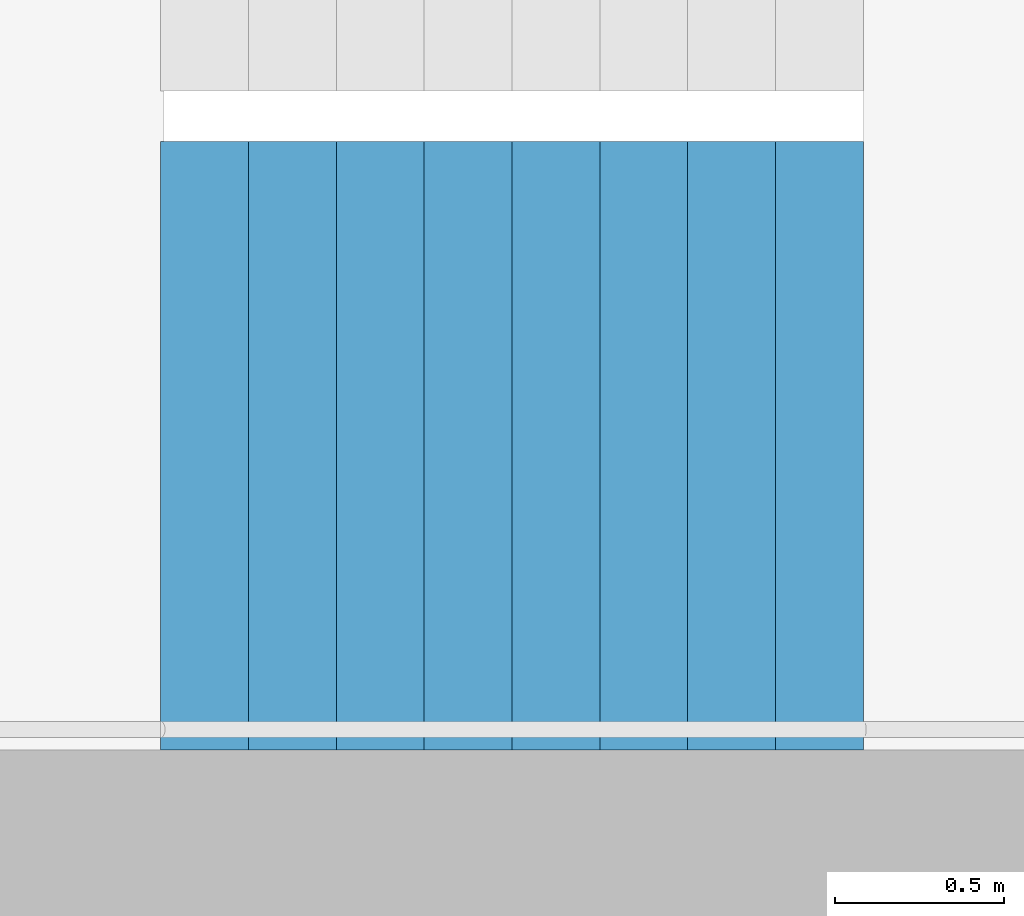
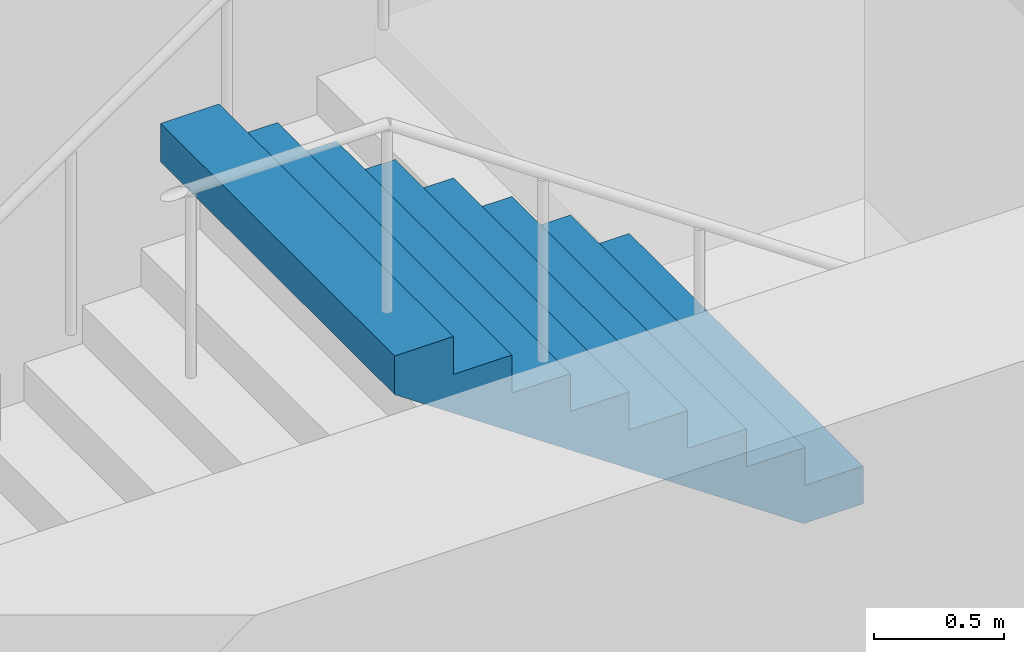
# One storey, part 23 of 27: 1 stair flight, 1 element without a shape of its own.
"""IFC4 building model written with IfcOpenShell, lengths in metres."""

from ifc_helpers import new_model, si_unit, direction, frame, origin, place, context, subcontext, project, spatial, triangles, material, type_object, element, aggregate, save


model = new_model("IFC4")

# Units and contexts
model_context = context("Model", 3, precision=1e-05, world=origin(), true_north=direction((0.0, 1.0)))
body_context = subcontext(model_context, "Body", "Model", "MODEL_VIEW")
ifc_project = project(units=[si_unit("LENGTHUNIT", "METRE"), si_unit("AREAUNIT", "SQUARE_METRE"), si_unit("VOLUMEUNIT", "CUBIC_METRE"), si_unit("PLANEANGLEUNIT", "RADIAN"), si_unit("MASSUNIT", "GRAM", prefix="KILO")], contexts=[model_context])

# Site, building, storey
site_placement = place(None, origin())
site = spatial("IfcSite", under=ifc_project, at=site_placement, CompositionType="ELEMENT")
building_placement = place(site_placement, origin())
building = spatial("IfcBuilding", under=site, at=building_placement, Name="Hakoniwa Tower and Hamabe Station Hall", CompositionType="ELEMENT")
storey_placement = place(building_placement, frame((0.0, 0.0, 242.199951171875)))
storey = spatial("IfcBuildingStorey", under=building, at=storey_placement, Name="L68", CompositionType="ELEMENT", Elevation=242.199951171875)

# Stair, stair flight
ifc_material_1 = material(Name="Concrete C40", Category="concrete")
stair_type = type_object("IfcStairType", Name="ESCAPE STAIR 1800", PredefinedType="HALF_TURN_STAIR", material=ifc_material_1)
stair_placement = place(storey_placement, origin())
stair = element("IfcStair", 1, at=stair_placement, inside=storey, type_object=stair_type, Name="Escape stair ST-4 L68", PredefinedType="HALF_TURN_STAIR")
ifc_material_2 = material(Name="Concrete C40", Category="concrete")
stair_flight_type = type_object("IfcStairFlightType", Name="STAIR FLIGHT 1800", PredefinedType="STRAIGHT", material=ifc_material_2)
stair_flight_placement = place(storey_placement, frame((25.47998046875, -6.60009765625, 1.60009765625), z_axis=(0.0, 0.0, 1.0), x_axis=(-1.0, 0.0, 0.0)))
stair_flight = element("IfcStairFlight", 2, at=stair_flight_placement, type_object=stair_flight_type, Name="ST-4 flight 2", NumberOfRisers=9, NumberOfTreads=8, PredefinedType="STRAIGHT", RiserHeight=0.177777778, TreadLength=0.26, context=body_context, shape_type="Tessellation", body=[
    triangles([(0.0, 0.89990234375, 0.0), (0.260009765625, 0.89990234375, 0.0), (0.265625, 0.89990234375, 0.0), (0.52001953125, 0.89990234375, 0.174072265625), (0.780029296875, 0.89990234375, 0.351806640625), (1.0400390625, 0.89990234375, 0.529541015625), (1.300048828125, 0.89990234375, 0.707275390625), (1.56005859375, 0.89990234375, 0.885009765625), (1.820068359375, 0.89990234375, 1.062744140625), (2.080078125, 0.89990234375, 1.24072265625), (2.080078125, 0.89990234375, 1.422119140625), (1.820068359375, 0.89990234375, 1.422119140625), (1.820068359375, 0.89990234375, 1.244384765625), (1.56005859375, 0.89990234375, 1.244384765625), (1.56005859375, 0.89990234375, 1.066650390625), (1.300048828125, 0.89990234375, 1.066650390625), (1.300048828125, 0.89990234375, 0.888916015625), (1.0400390625, 0.89990234375, 0.888916015625), (1.0400390625, 0.89990234375, 0.711181640625), (0.780029296875, 0.89990234375, 0.711181640625), (0.780029296875, 0.89990234375, 0.533447265625), (0.52001953125, 0.89990234375, 0.533447265625), (0.52001953125, 0.89990234375, 0.35546875), (0.265625, 0.89990234375, 0.35546875), (0.260009765625, 0.89990234375, 0.35546875), (0.260009765625, 0.89990234375, 0.177734375), (0.0, 0.89990234375, 0.177734375), (0.0, 0.06005859375, 0.0), (0.260009765625, 0.06005859375, 0.0), (0.265625, 0.06005859375, 0.0), (0.52001953125, 0.06005859375, 0.174072265625), (0.780029296875, 0.06005859375, 0.351806640625), (1.0400390625, 0.06005859375, 0.529541015625), (1.300048828125, 0.06005859375, 0.707275390625), (1.56005859375, 0.06005859375, 0.885009765625), (1.820068359375, 0.06005859375, 1.062744140625), (2.080078125, 0.06005859375, 1.24072265625), (2.080078125, 0.06005859375, 1.422119140625), (1.820068359375, 0.06005859375, 1.422119140625), (1.820068359375, 0.06005859375, 1.244384765625), (1.56005859375, 0.06005859375, 1.244384765625), (1.56005859375, 0.06005859375, 1.066650390625), (1.300048828125, 0.06005859375, 1.066650390625), (1.300048828125, 0.06005859375, 0.888916015625), (1.0400390625, 0.06005859375, 0.888916015625), (1.0400390625, 0.06005859375, 0.711181640625), (0.780029296875, 0.06005859375, 0.711181640625), (0.780029296875, 0.06005859375, 0.533447265625), (0.52001953125, 0.06005859375, 0.533447265625), (0.52001953125, 0.06005859375, 0.35546875), (0.265625, 0.06005859375, 0.35546875), (0.260009765625, 0.06005859375, 0.35546875), (0.260009765625, 0.06005859375, 0.177734375), (0.0, 0.06005859375, 0.177734375), (0.0, 0.04296875, 0.0), (0.260009765625, 0.04296875, 0.0), (0.265625, 0.04296875, 0.0), (0.52001953125, 0.04296875, 0.174072265625), (0.780029296875, 0.04296875, 0.351806640625), (1.0400390625, 0.04296875, 0.529541015625), (1.300048828125, 0.04296875, 0.707275390625), (1.56005859375, 0.04296875, 0.885009765625), (1.820068359375, 0.04296875, 1.062744140625), (2.080078125, 0.04296875, 1.24072265625), (2.080078125, 0.04296875, 1.422119140625), (1.820068359375, 0.04296875, 1.422119140625), (1.820068359375, 0.04296875, 1.244384765625), (1.56005859375, 0.04296875, 1.244384765625), (1.56005859375, 0.04296875, 1.066650390625), (1.300048828125, 0.04296875, 1.066650390625), (1.300048828125, 0.04296875, 0.888916015625), (1.0400390625, 0.04296875, 0.888916015625), (1.0400390625, 0.04296875, 0.711181640625), (0.780029296875, 0.04296875, 0.711181640625), (0.780029296875, 0.04296875, 0.533447265625), (0.52001953125, 0.04296875, 0.533447265625), (0.52001953125, 0.04296875, 0.35546875), (0.265625, 0.04296875, 0.35546875), (0.260009765625, 0.04296875, 0.35546875), (0.260009765625, 0.04296875, 0.177734375), (0.0, 0.04296875, 0.177734375), (0.0, 0.025634765625, 0.0), (0.260009765625, 0.025634765625, 0.0), (0.265625, 0.025634765625, 0.0), (0.52001953125, 0.025634765625, 0.174072265625), (0.780029296875, 0.025634765625, 0.351806640625), (1.0400390625, 0.025634765625, 0.529541015625), (1.300048828125, 0.025634765625, 0.707275390625), (1.56005859375, 0.025634765625, 0.885009765625), (1.820068359375, 0.025634765625, 1.062744140625), (2.080078125, 0.025634765625, 1.24072265625), (2.080078125, 0.025634765625, 1.422119140625), (1.820068359375, 0.025634765625, 1.422119140625), (1.820068359375, 0.025634765625, 1.244384765625), (1.56005859375, 0.025634765625, 1.244384765625), (1.56005859375, 0.025634765625, 1.066650390625), (1.300048828125, 0.025634765625, 1.066650390625), (1.300048828125, 0.025634765625, 0.888916015625), (1.0400390625, 0.025634765625, 0.888916015625), (1.0400390625, 0.025634765625, 0.711181640625), (0.780029296875, 0.025634765625, 0.711181640625), (0.780029296875, 0.025634765625, 0.533447265625), (0.52001953125, 0.025634765625, 0.533447265625), (0.52001953125, 0.025634765625, 0.35546875), (0.265625, 0.025634765625, 0.35546875), (0.260009765625, 0.025634765625, 0.35546875), (0.260009765625, 0.025634765625, 0.177734375), (0.0, 0.025634765625, 0.177734375), (0.0, 0.008544921875, 0.0), (0.260009765625, 0.008544921875, 0.0), (0.265625, 0.008544921875, 0.0), (0.52001953125, 0.008544921875, 0.174072265625), (0.780029296875, 0.008544921875, 0.351806640625), (1.0400390625, 0.008544921875, 0.529541015625), (1.300048828125, 0.008544921875, 0.707275390625), (1.56005859375, 0.008544921875, 0.885009765625), (1.820068359375, 0.008544921875, 1.062744140625), (2.080078125, 0.008544921875, 1.24072265625), (2.080078125, 0.008544921875, 1.422119140625), (1.820068359375, 0.008544921875, 1.422119140625), (1.820068359375, 0.008544921875, 1.244384765625), (1.56005859375, 0.008544921875, 1.244384765625), (1.56005859375, 0.008544921875, 1.066650390625), (1.300048828125, 0.008544921875, 1.066650390625), (1.300048828125, 0.008544921875, 0.888916015625), (1.0400390625, 0.008544921875, 0.888916015625), (1.0400390625, 0.008544921875, 0.711181640625), (0.780029296875, 0.008544921875, 0.711181640625), (0.780029296875, 0.008544921875, 0.533447265625), (0.52001953125, 0.008544921875, 0.533447265625), (0.52001953125, 0.008544921875, 0.35546875), (0.265625, 0.008544921875, 0.35546875), (0.260009765625, 0.008544921875, 0.35546875), (0.260009765625, 0.008544921875, 0.177734375), (0.0, 0.008544921875, 0.177734375), (0.0, -0.008544921875, 0.0), (0.260009765625, -0.008544921875, 0.0), (0.265625, -0.008544921875, 0.0), (0.52001953125, -0.008544921875, 0.174072265625), (0.780029296875, -0.008544921875, 0.351806640625), (1.0400390625, -0.008544921875, 0.529541015625), (1.300048828125, -0.008544921875, 0.707275390625), (1.56005859375, -0.008544921875, 0.885009765625), (1.820068359375, -0.008544921875, 1.062744140625), (2.080078125, -0.008544921875, 1.24072265625), (2.080078125, -0.008544921875, 1.422119140625), (1.820068359375, -0.008544921875, 1.422119140625), (1.820068359375, -0.008544921875, 1.244384765625), (1.56005859375, -0.008544921875, 1.244384765625), (1.56005859375, -0.008544921875, 1.066650390625), (1.300048828125, -0.008544921875, 1.066650390625), (1.300048828125, -0.008544921875, 0.888916015625), (1.0400390625, -0.008544921875, 0.888916015625), (1.0400390625, -0.008544921875, 0.711181640625), (0.780029296875, -0.008544921875, 0.711181640625), (0.780029296875, -0.008544921875, 0.533447265625), (0.52001953125, -0.008544921875, 0.533447265625), (0.52001953125, -0.008544921875, 0.35546875), (0.265625, -0.008544921875, 0.35546875), (0.260009765625, -0.008544921875, 0.35546875), (0.260009765625, -0.008544921875, 0.177734375), (0.0, -0.008544921875, 0.177734375), (0.0, -0.025634765625, 0.0), (0.260009765625, -0.025634765625, 0.0), (0.265625, -0.025634765625, 0.0), (0.52001953125, -0.025634765625, 0.174072265625), (0.780029296875, -0.025634765625, 0.351806640625), (1.0400390625, -0.025634765625, 0.529541015625), (1.300048828125, -0.025634765625, 0.707275390625), (1.56005859375, -0.025634765625, 0.885009765625), (1.820068359375, -0.025634765625, 1.062744140625), (2.080078125, -0.025634765625, 1.24072265625), (2.080078125, -0.025634765625, 1.422119140625), (1.820068359375, -0.025634765625, 1.422119140625), (1.820068359375, -0.025634765625, 1.244384765625), (1.56005859375, -0.025634765625, 1.244384765625), (1.56005859375, -0.025634765625, 1.066650390625), (1.300048828125, -0.025634765625, 1.066650390625), (1.300048828125, -0.025634765625, 0.888916015625), (1.0400390625, -0.025634765625, 0.888916015625), (1.0400390625, -0.025634765625, 0.711181640625), (0.780029296875, -0.025634765625, 0.711181640625), (0.780029296875, -0.025634765625, 0.533447265625), (0.52001953125, -0.025634765625, 0.533447265625), (0.52001953125, -0.025634765625, 0.35546875), (0.265625, -0.025634765625, 0.35546875), (0.260009765625, -0.025634765625, 0.35546875), (0.260009765625, -0.025634765625, 0.177734375), (0.0, -0.025634765625, 0.177734375), (0.0, -0.04296875, 0.0), (0.260009765625, -0.04296875, 0.0), (0.265625, -0.04296875, 0.0), (0.52001953125, -0.04296875, 0.174072265625), (0.780029296875, -0.04296875, 0.351806640625), (1.0400390625, -0.04296875, 0.529541015625), (1.300048828125, -0.04296875, 0.707275390625), (1.56005859375, -0.04296875, 0.885009765625), (1.820068359375, -0.04296875, 1.062744140625), (2.080078125, -0.04296875, 1.24072265625), (2.080078125, -0.04296875, 1.422119140625), (1.820068359375, -0.04296875, 1.422119140625), (1.820068359375, -0.04296875, 1.244384765625), (1.56005859375, -0.04296875, 1.244384765625), (1.56005859375, -0.04296875, 1.066650390625), (1.300048828125, -0.04296875, 1.066650390625), (1.300048828125, -0.04296875, 0.888916015625), (1.0400390625, -0.04296875, 0.888916015625), (1.0400390625, -0.04296875, 0.711181640625), (0.780029296875, -0.04296875, 0.711181640625), (0.780029296875, -0.04296875, 0.533447265625), (0.52001953125, -0.04296875, 0.533447265625), (0.52001953125, -0.04296875, 0.35546875), (0.265625, -0.04296875, 0.35546875), (0.260009765625, -0.04296875, 0.35546875), (0.260009765625, -0.04296875, 0.177734375), (0.0, -0.04296875, 0.177734375), (0.0, -0.06005859375, 0.0), (0.260009765625, -0.06005859375, 0.0), (0.265625, -0.06005859375, 0.0), (0.52001953125, -0.06005859375, 0.174072265625), (0.780029296875, -0.06005859375, 0.351806640625), (1.0400390625, -0.06005859375, 0.529541015625), (1.300048828125, -0.06005859375, 0.707275390625), (1.56005859375, -0.06005859375, 0.885009765625), (1.820068359375, -0.06005859375, 1.062744140625), (2.080078125, -0.06005859375, 1.24072265625), (2.080078125, -0.06005859375, 1.422119140625), (1.820068359375, -0.06005859375, 1.422119140625), (1.820068359375, -0.06005859375, 1.244384765625), (1.56005859375, -0.06005859375, 1.244384765625), (1.56005859375, -0.06005859375, 1.066650390625), (1.300048828125, -0.06005859375, 1.066650390625), (1.300048828125, -0.06005859375, 0.888916015625), (1.0400390625, -0.06005859375, 0.888916015625), (1.0400390625, -0.06005859375, 0.711181640625), (0.780029296875, -0.06005859375, 0.711181640625), (0.780029296875, -0.06005859375, 0.533447265625), (0.52001953125, -0.06005859375, 0.533447265625), (0.52001953125, -0.06005859375, 0.35546875), (0.265625, -0.06005859375, 0.35546875), (0.260009765625, -0.06005859375, 0.35546875), (0.260009765625, -0.06005859375, 0.177734375), (0.0, -0.06005859375, 0.177734375), (0.0, -0.89990234375, 0.0), (0.260009765625, -0.89990234375, 0.0), (0.265625, -0.89990234375, 0.0), (0.52001953125, -0.89990234375, 0.174072265625), (0.780029296875, -0.89990234375, 0.351806640625), (1.0400390625, -0.89990234375, 0.529541015625), (1.300048828125, -0.89990234375, 0.707275390625), (1.56005859375, -0.89990234375, 0.885009765625), (1.820068359375, -0.89990234375, 1.062744140625), (2.080078125, -0.89990234375, 1.24072265625), (2.080078125, -0.89990234375, 1.422119140625), (1.820068359375, -0.89990234375, 1.422119140625), (1.820068359375, -0.89990234375, 1.244384765625), (1.56005859375, -0.89990234375, 1.244384765625), (1.56005859375, -0.89990234375, 1.066650390625), (1.300048828125, -0.89990234375, 1.066650390625), (1.300048828125, -0.89990234375, 0.888916015625), (1.0400390625, -0.89990234375, 0.888916015625), (1.0400390625, -0.89990234375, 0.711181640625), (0.780029296875, -0.89990234375, 0.711181640625), (0.780029296875, -0.89990234375, 0.533447265625), (0.52001953125, -0.89990234375, 0.533447265625), (0.52001953125, -0.89990234375, 0.35546875), (0.265625, -0.89990234375, 0.35546875), (0.260009765625, -0.89990234375, 0.35546875), (0.260009765625, -0.89990234375, 0.177734375), (0.0, -0.89990234375, 0.177734375)], [[2, 27, 26], [245, 269, 270], [2, 1, 27], [245, 270, 244], [3, 25, 24], [246, 267, 268], [3, 26, 25], [246, 268, 269], [3, 2, 26], [246, 269, 245], [4, 24, 23], [247, 266, 267], [4, 3, 24], [247, 267, 246], [5, 22, 21], [248, 264, 265], [5, 23, 22], [248, 265, 266], [5, 4, 23], [248, 266, 247], [6, 20, 19], [249, 262, 263], [6, 21, 20], [249, 263, 264], [6, 5, 21], [249, 264, 248], [7, 18, 17], [250, 260, 261], [7, 19, 18], [250, 261, 262], [7, 6, 19], [250, 262, 249], [8, 16, 15], [251, 258, 259], [8, 17, 16], [251, 259, 260], [8, 7, 17], [251, 260, 250], [9, 14, 13], [252, 256, 257], [9, 15, 14], [252, 257, 258], [9, 8, 15], [252, 258, 251], [10, 12, 11], [253, 254, 255], [10, 13, 12], [253, 255, 256], [10, 9, 13], [253, 256, 252], [1, 2, 29], [1, 29, 28], [28, 29, 56], [28, 56, 55], [55, 56, 83], [55, 83, 82], [82, 83, 110], [82, 110, 109], [109, 110, 137], [109, 137, 136], [136, 137, 164], [136, 164, 163], [163, 164, 191], [163, 191, 190], [190, 191, 218], [190, 218, 217], [217, 218, 245], [217, 245, 244], [2, 3, 30], [2, 30, 29], [29, 30, 57], [29, 57, 56], [56, 57, 84], [56, 84, 83], [83, 84, 111], [83, 111, 110], [110, 111, 138], [110, 138, 137], [137, 138, 165], [137, 165, 164], [164, 165, 192], [164, 192, 191], [191, 192, 219], [191, 219, 218], [218, 219, 246], [218, 246, 245], [3, 4, 31], [3, 31, 30], [30, 31, 58], [30, 58, 57], [57, 58, 85], [57, 85, 84], [84, 85, 112], [84, 112, 111], [111, 112, 139], [111, 139, 138], [138, 139, 166], [138, 166, 165], [165, 166, 193], [165, 193, 192], [192, 193, 220], [192, 220, 219], [219, 220, 247], [219, 247, 246], [4, 5, 32], [4, 32, 31], [31, 32, 59], [31, 59, 58], [58, 59, 86], [58, 86, 85], [85, 86, 113], [85, 113, 112], [112, 113, 140], [112, 140, 139], [139, 140, 167], [139, 167, 166], [166, 167, 194], [166, 194, 193], [193, 194, 221], [193, 221, 220], [220, 221, 248], [220, 248, 247], [5, 6, 33], [5, 33, 32], [32, 33, 60], [32, 60, 59], [59, 60, 87], [59, 87, 86], [86, 87, 114], [86, 114, 113], [113, 114, 141], [113, 141, 140], [140, 141, 168], [140, 168, 167], [167, 168, 195], [167, 195, 194], [194, 195, 222], [194, 222, 221], [221, 222, 249], [221, 249, 248], [6, 7, 34], [6, 34, 33], [33, 34, 61], [33, 61, 60], [60, 61, 88], [60, 88, 87], [87, 88, 115], [87, 115, 114], [114, 115, 142], [114, 142, 141], [141, 142, 169], [141, 169, 168], [168, 169, 196], [168, 196, 195], [195, 196, 223], [195, 223, 222], [222, 223, 250], [222, 250, 249], [7, 8, 35], [7, 35, 34], [34, 35, 62], [34, 62, 61], [61, 62, 89], [61, 89, 88], [88, 89, 116], [88, 116, 115], [115, 116, 143], [115, 143, 142], [142, 143, 170], [142, 170, 169], [169, 170, 197], [169, 197, 196], [196, 197, 224], [196, 224, 223], [223, 224, 251], [223, 251, 250], [8, 9, 36], [8, 36, 35], [35, 36, 63], [35, 63, 62], [62, 63, 90], [62, 90, 89], [89, 90, 117], [89, 117, 116], [116, 117, 144], [116, 144, 143], [143, 144, 171], [143, 171, 170], [170, 171, 198], [170, 198, 197], [197, 198, 225], [197, 225, 224], [224, 225, 252], [224, 252, 251], [9, 10, 37], [9, 37, 36], [36, 37, 64], [36, 64, 63], [63, 64, 91], [63, 91, 90], [90, 91, 118], [90, 118, 117], [117, 118, 145], [117, 145, 144], [144, 145, 172], [144, 172, 171], [171, 172, 199], [171, 199, 198], [198, 199, 226], [198, 226, 225], [225, 226, 253], [225, 253, 252], [10, 11, 38], [10, 38, 37], [37, 38, 65], [37, 65, 64], [64, 65, 92], [64, 92, 91], [91, 92, 119], [91, 119, 118], [118, 119, 146], [118, 146, 145], [145, 146, 173], [145, 173, 172], [172, 173, 200], [172, 200, 199], [199, 200, 227], [199, 227, 226], [226, 227, 254], [226, 254, 253], [11, 12, 39], [11, 39, 38], [38, 39, 66], [38, 66, 65], [65, 66, 93], [65, 93, 92], [92, 93, 120], [92, 120, 119], [119, 120, 147], [119, 147, 146], [146, 147, 174], [146, 174, 173], [173, 174, 201], [173, 201, 200], [200, 201, 228], [200, 228, 227], [227, 228, 255], [227, 255, 254], [12, 13, 40], [12, 40, 39], [39, 40, 67], [39, 67, 66], [66, 67, 94], [66, 94, 93], [93, 94, 121], [93, 121, 120], [120, 121, 148], [120, 148, 147], [147, 148, 175], [147, 175, 174], [174, 175, 202], [174, 202, 201], [201, 202, 229], [201, 229, 228], [228, 229, 256], [228, 256, 255], [13, 14, 41], [13, 41, 40], [40, 41, 68], [40, 68, 67], [67, 68, 95], [67, 95, 94], [94, 95, 122], [94, 122, 121], [121, 122, 149], [121, 149, 148], [148, 149, 176], [148, 176, 175], [175, 176, 203], [175, 203, 202], [202, 203, 230], [202, 230, 229], [229, 230, 257], [229, 257, 256], [14, 15, 42], [14, 42, 41], [41, 42, 69], [41, 69, 68], [68, 69, 96], [68, 96, 95], [95, 96, 123], [95, 123, 122], [122, 123, 150], [122, 150, 149], [149, 150, 177], [149, 177, 176], [176, 177, 204], [176, 204, 203], [203, 204, 231], [203, 231, 230], [230, 231, 258], [230, 258, 257], [15, 16, 43], [15, 43, 42], [42, 43, 70], [42, 70, 69], [69, 70, 97], [69, 97, 96], [96, 97, 124], [96, 124, 123], [123, 124, 151], [123, 151, 150], [150, 151, 178], [150, 178, 177], [177, 178, 205], [177, 205, 204], [204, 205, 232], [204, 232, 231], [231, 232, 259], [231, 259, 258], [16, 17, 44], [16, 44, 43], [43, 44, 71], [43, 71, 70], [70, 71, 98], [70, 98, 97], [97, 98, 125], [97, 125, 124], [124, 125, 152], [124, 152, 151], [151, 152, 179], [151, 179, 178], [178, 179, 206], [178, 206, 205], [205, 206, 233], [205, 233, 232], [232, 233, 260], [232, 260, 259], [17, 18, 45], [17, 45, 44], [44, 45, 72], [44, 72, 71], [71, 72, 99], [71, 99, 98], [98, 99, 126], [98, 126, 125], [125, 126, 153], [125, 153, 152], [152, 153, 180], [152, 180, 179], [179, 180, 207], [179, 207, 206], [206, 207, 234], [206, 234, 233], [233, 234, 261], [233, 261, 260], [18, 19, 46], [18, 46, 45], [45, 46, 73], [45, 73, 72], [72, 73, 100], [72, 100, 99], [99, 100, 127], [99, 127, 126], [126, 127, 154], [126, 154, 153], [153, 154, 181], [153, 181, 180], [180, 181, 208], [180, 208, 207], [207, 208, 235], [207, 235, 234], [234, 235, 262], [234, 262, 261], [19, 20, 47], [19, 47, 46], [46, 47, 74], [46, 74, 73], [73, 74, 101], [73, 101, 100], [100, 101, 128], [100, 128, 127], [127, 128, 155], [127, 155, 154], [154, 155, 182], [154, 182, 181], [181, 182, 209], [181, 209, 208], [208, 209, 236], [208, 236, 235], [235, 236, 263], [235, 263, 262], [20, 21, 48], [20, 48, 47], [47, 48, 75], [47, 75, 74], [74, 75, 102], [74, 102, 101], [101, 102, 129], [101, 129, 128], [128, 129, 156], [128, 156, 155], [155, 156, 183], [155, 183, 182], [182, 183, 210], [182, 210, 209], [209, 210, 237], [209, 237, 236], [236, 237, 264], [236, 264, 263], [21, 22, 49], [21, 49, 48], [48, 49, 76], [48, 76, 75], [75, 76, 103], [75, 103, 102], [102, 103, 130], [102, 130, 129], [129, 130, 157], [129, 157, 156], [156, 157, 184], [156, 184, 183], [183, 184, 211], [183, 211, 210], [210, 211, 238], [210, 238, 237], [237, 238, 265], [237, 265, 264], [22, 23, 50], [22, 50, 49], [49, 50, 77], [49, 77, 76], [76, 77, 104], [76, 104, 103], [103, 104, 131], [103, 131, 130], [130, 131, 158], [130, 158, 157], [157, 158, 185], [157, 185, 184], [184, 185, 212], [184, 212, 211], [211, 212, 239], [211, 239, 238], [238, 239, 266], [238, 266, 265], [23, 24, 51], [23, 51, 50], [50, 51, 78], [50, 78, 77], [77, 78, 105], [77, 105, 104], [104, 105, 132], [104, 132, 131], [131, 132, 159], [131, 159, 158], [158, 159, 186], [158, 186, 185], [185, 186, 213], [185, 213, 212], [212, 213, 240], [212, 240, 239], [239, 240, 267], [239, 267, 266], [24, 25, 52], [24, 52, 51], [51, 52, 79], [51, 79, 78], [78, 79, 106], [78, 106, 105], [105, 106, 133], [105, 133, 132], [132, 133, 160], [132, 160, 159], [159, 160, 187], [159, 187, 186], [186, 187, 214], [186, 214, 213], [213, 214, 241], [213, 241, 240], [240, 241, 268], [240, 268, 267], [25, 26, 53], [25, 53, 52], [52, 53, 80], [52, 80, 79], [79, 80, 107], [79, 107, 106], [106, 107, 134], [106, 134, 133], [133, 134, 161], [133, 161, 160], [160, 161, 188], [160, 188, 187], [187, 188, 215], [187, 215, 214], [214, 215, 242], [214, 242, 241], [241, 242, 269], [241, 269, 268], [26, 27, 54], [26, 54, 53], [53, 54, 81], [53, 81, 80], [80, 81, 108], [80, 108, 107], [107, 108, 135], [107, 135, 134], [134, 135, 162], [134, 162, 161], [161, 162, 189], [161, 189, 188], [188, 189, 216], [188, 216, 215], [215, 216, 243], [215, 243, 242], [242, 243, 270], [242, 270, 269], [27, 1, 28], [27, 28, 54], [54, 28, 55], [54, 55, 81], [81, 55, 82], [81, 82, 108], [108, 82, 109], [108, 109, 135], [135, 109, 136], [135, 136, 162], [162, 136, 163], [162, 163, 189], [189, 163, 190], [189, 190, 216], [216, 190, 217], [216, 217, 243], [243, 217, 244], [243, 244, 270]], closed=True),
])
aggregate(stair, [stair_flight])

save(model, "model.ifc")
